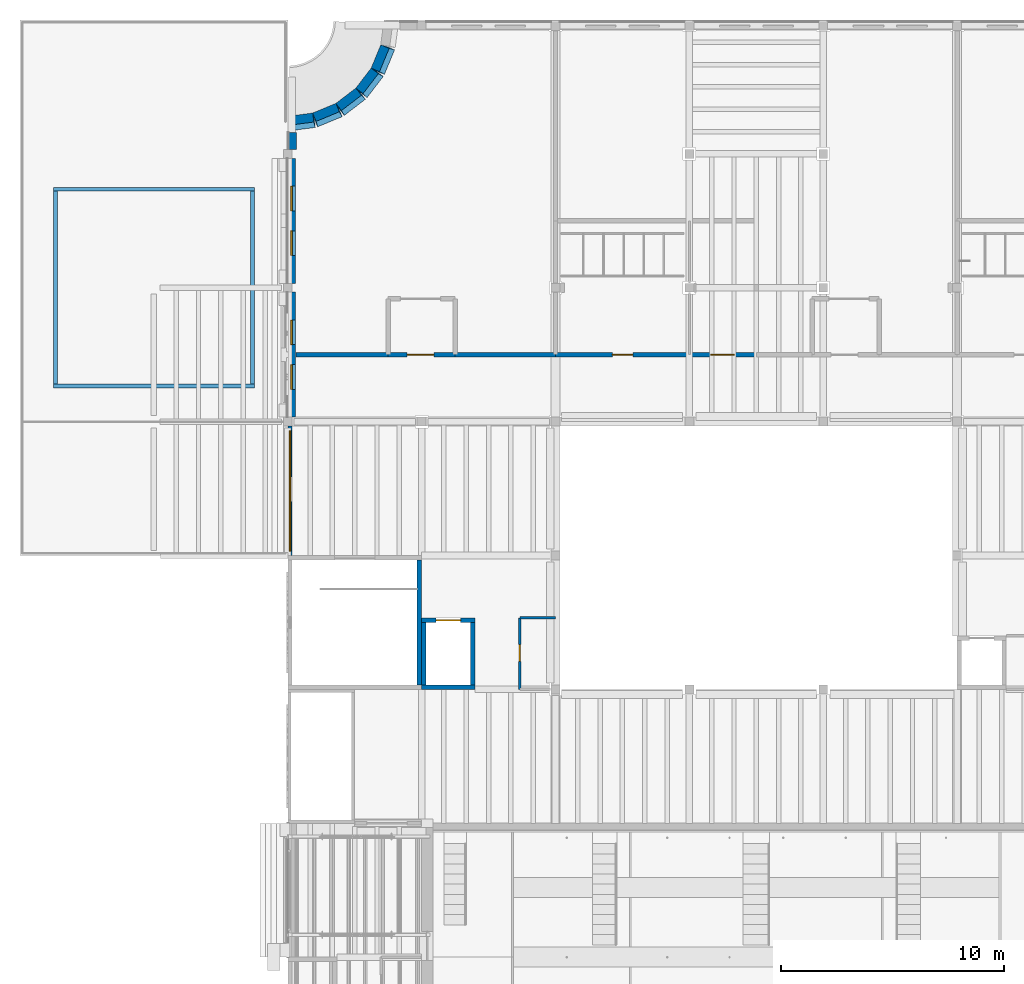
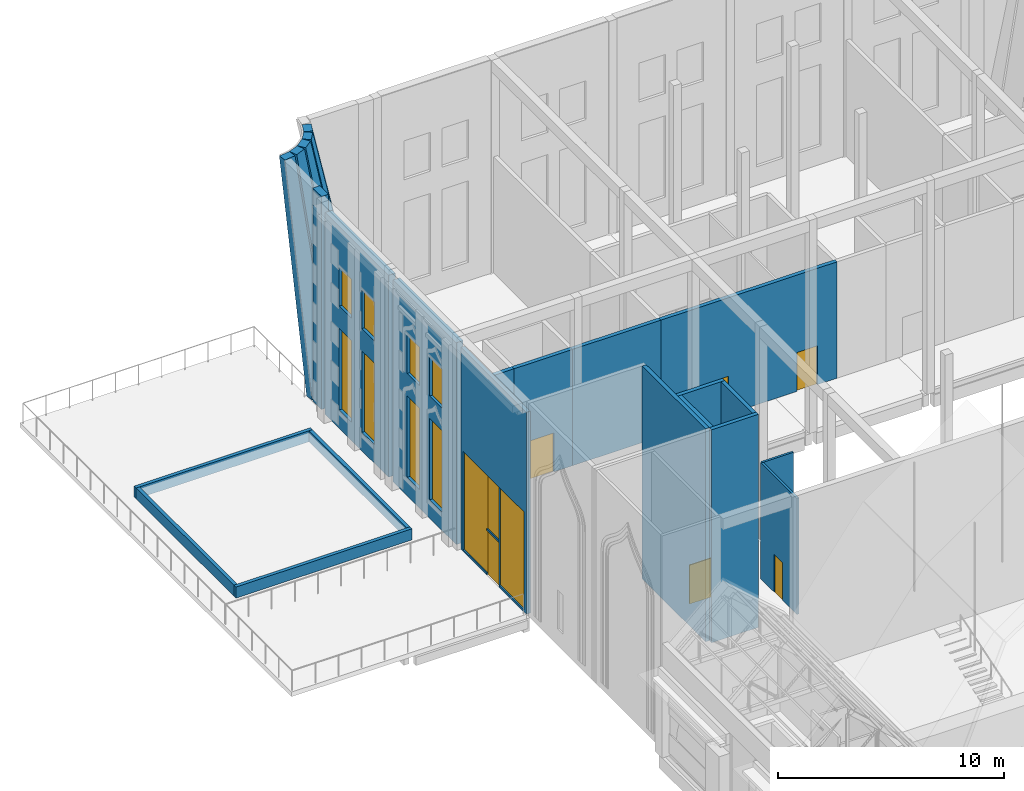
# One storey, part 65 of 118: 24 walls, 11 windows, 6 doors, 17 openings.
"""IFC4 building model written with IfcOpenShell, lengths in metres."""

import ifcopenshell
import ifcopenshell.guid

model = None  # the IFC model being written
_history = None  # IfcOwnerHistory: only IFC2X3 demands one
_inside = {}  # id of a spatial element -> (the spatial element, [elements in it])
_under = {}  # id of a project, library or spatial element -> (it, [spatial elements below it])
_declared = {}  # id of a project -> (the project, [libraries it declares])
_typed = {}  # id of a type object -> (the type object, [elements of that type])
_made_of = {}  # id of a material, layer set ... -> (it, [elements and type objects made of it])


def new_model(schema):
    """Start an empty IFC model of exactly this schema.

    Asked for "IFC4X3", IfcOpenShell would pick the latest addendum, in which some entities
    have other attributes; the version numbers below select the first issue.
    IFC2X3 requires an IfcOwnerHistory on every rooted entity: one is made here for all.
    """
    global model, _history
    if schema == "IFC4X3":
        model = ifcopenshell.file(schema_version=(4, 3, 0, 0))
    else:
        model = ifcopenshell.file(schema=schema)
    _inside.clear()
    _under.clear()
    _declared.clear()
    _typed.clear()
    _made_of.clear()
    _history = None
    if model.schema == "IFC2X3":
        org = make("IfcOrganization", Name="unknown")
        user = make(
            "IfcPersonAndOrganization",
            ThePerson=make("IfcPerson", FamilyName="unknown"),
            TheOrganization=org,
        )
        app = make(
            "IfcApplication",
            ApplicationDeveloper=org,
            Version="unknown",
            ApplicationFullName="unknown",
            ApplicationIdentifier="unknown",
        )
        _history = make(
            "IfcOwnerHistory",
            OwningUser=user,
            OwningApplication=app,
            ChangeAction="ADDED",
            CreationDate=0,
        )
    return model


def make(cls, **values):
    """One entity of the class cls with the attributes given. An attribute that is None is left unset."""
    return model.create_entity(
        cls, **{name: value for name, value in values.items() if value is not None}
    )


def rooted(cls, **values):
    """An entity with a GlobalId (a new one), such as an element, a storey or a relation."""
    return make(cls, GlobalId=ifcopenshell.guid.new(), OwnerHistory=_history, **values)


def si_unit(unit_type, name, prefix=None):
    """IfcSIUnit, for example si_unit("LENGTHUNIT", "METRE", prefix="MILLI")."""
    return make("IfcSIUnit", UnitType=unit_type, Prefix=prefix, Name=name)


def assignment(units):
    """IfcUnitAssignment: the units of a project."""
    return None if units is None else make("IfcUnitAssignment", Units=units)


def point(xyz):
    """IfcCartesianPoint."""
    return None if xyz is None else make("IfcCartesianPoint", Coordinates=xyz)


def direction(xyz):
    """IfcDirection."""
    return None if xyz is None else make("IfcDirection", DirectionRatios=xyz)


def frame(location, z_axis=None, x_axis=None):
    """IfcAxis2Placement3D, a coordinate frame: its origin and axes. An axis left out is left unset."""
    return make(
        "IfcAxis2Placement3D",
        Location=point(location),
        Axis=direction(z_axis),
        RefDirection=direction(x_axis),
    )


def frame_2d(location, x_axis=None):
    """IfcAxis2Placement2D, a coordinate frame in the plane: its origin and x axis."""
    return make(
        "IfcAxis2Placement2D", Location=point(location), RefDirection=direction(x_axis)
    )


def origin():
    """The frame at (0, 0, 0) with its axes left unset."""
    return frame((0.0, 0.0, 0.0))


def place(relative_to, where):
    """IfcLocalPlacement: puts the frame where relative to a parent placement (None: the world)."""
    return make(
        "IfcLocalPlacement", PlacementRelTo=relative_to, RelativePlacement=where
    )


def context(
    kind, dimensions, precision=None, world=None, true_north=None, identifier=None
):
    """IfcGeometricRepresentationContext, for example the 3D "Model" context."""
    return make(
        "IfcGeometricRepresentationContext",
        ContextIdentifier=identifier,
        ContextType=kind,
        CoordinateSpaceDimension=dimensions,
        Precision=precision,
        WorldCoordinateSystem=world,
        TrueNorth=true_north,
    )


def subcontext(parent, identifier, kind, view, scale=None):
    """IfcGeometricRepresentationSubContext, for example "Body" below "Model"."""
    return make(
        "IfcGeometricRepresentationSubContext",
        ContextIdentifier=identifier,
        ContextType=kind,
        ParentContext=parent,
        TargetScale=scale,
        TargetView=view,
    )


def project(units=None, contexts=None):
    """IfcProject with its units and contexts."""
    return rooted(
        "IfcProject",
        Name="project",
        RepresentationContexts=contexts,
        UnitsInContext=assignment(units),
    )


def spatial(cls, under=None, at=None, **own):
    """A site, building, storey or space (cls), placed at a placement, below another one or the project."""
    s = rooted(cls, ObjectPlacement=at, **own)
    if under is not None:
        _under.setdefault(under.id(), (under, []))[1].append(s)
    return s


def polyline(points):
    """IfcPolyline through the points."""
    return make("IfcPolyline", Points=[point(p) for p in points])


def profile(cls, at=None, kind="AREA", **sizes):
    """A parametric profile (cls). Its sizes go by their IFC names, for example OverallWidth=200.0."""
    return make(cls, ProfileType=kind, Position=at, **sizes)


def rectangle(**sizes):
    """IfcRectangleProfileDef."""
    return profile("IfcRectangleProfileDef", **sizes)


def outline(outer, holes=None, kind="AREA"):
    """IfcArbitraryClosedProfileDef: a profile drawn as a closed curve; with holes, ...WithVoids."""
    if holes is None:
        return make("IfcArbitraryClosedProfileDef", ProfileType=kind, OuterCurve=outer)
    return make(
        "IfcArbitraryProfileDefWithVoids",
        ProfileType=kind,
        OuterCurve=outer,
        InnerCurves=holes,
    )


def extrude(swept, where, along, depth):
    """IfcExtrudedAreaSolid: the profile swept, set in the frame where, extruded along a direction by depth."""
    return make(
        "IfcExtrudedAreaSolid",
        SweptArea=swept,
        Position=where,
        ExtrudedDirection=direction(along),
        Depth=depth,
    )


def shape(context_of_items, identifier, shape_type, items):
    """IfcShapeRepresentation: the items that make up one representation, for example the "Body"."""
    return make(
        "IfcShapeRepresentation",
        ContextOfItems=context_of_items,
        RepresentationIdentifier=identifier,
        RepresentationType=shape_type,
        Items=items,
    )


def material(Name=None, Category=None):
    """IfcMaterial."""
    return make("IfcMaterial", Name=Name, Category=Category)


def layer(
    of_material, thickness, ventilated=None, Name=None, Category=None, Priority=None
):
    """IfcMaterialLayer: one layer of a wall or slab, of a material (None: an air gap)."""
    return make(
        "IfcMaterialLayer",
        Material=of_material,
        LayerThickness=thickness,
        IsVentilated=ventilated,
        Name=Name,
        Category=Category,
        Priority=Priority,
    )


def layer_set(layers, Name=None):
    """IfcMaterialLayerSet."""
    return make("IfcMaterialLayerSet", MaterialLayers=layers, LayerSetName=Name)


def made_of(thing, what):
    """Note that an element or type object is made of a material, layer set ...; save() writes the relation."""
    if what is not None:
        _made_of.setdefault(what.id(), (what, []))[1].append(thing)
    return thing


def type_object(cls, material=None, **own):
    """A type object (cls), such as IfcWallType, which elements share."""
    return made_of(rooted(cls, **own), material)


def element(
    cls,
    number,
    at=None,
    inside=None,
    cuts=None,
    type_object=None,
    material=None,
    context=None,
    identifier="Body",
    shape_type=None,
    held_by="IfcProductDefinitionShape",
    body=None,
    shapes=None,
    **own,
):
    """One element of the class cls, such as IfcWall. Its Tag is "e" and its number.

    at: its placement. inside: the storey or other place that contains it. cuts: it is an
    opening in that element (IfcRelVoidsElement). A single representation is given by context,
    identifier, shape_type and body (its items); several are given by shapes. held_by: the class
    of the entity that holds the representations. save() writes the other relations.
    """
    e = rooted(cls, Tag="e%d" % number, ObjectPlacement=at, **own)
    if body is not None:
        shapes = [shape(context, identifier, shape_type, body)]
    if shapes is not None:
        e.Representation = make(held_by, Representations=shapes)
    if inside is not None:
        _inside.setdefault(inside.id(), (inside, []))[1].append(e)
    if cuts is not None:
        rooted(
            "IfcRelVoidsElement", RelatingBuildingElement=cuts, RelatedOpeningElement=e
        )
    if type_object is not None:
        _typed.setdefault(type_object.id(), (type_object, []))[1].append(e)
    return made_of(e, material)


def fill(opening, filler):
    """IfcRelFillsElement: the door or window that sits in an opening."""
    return rooted(
        "IfcRelFillsElement",
        RelatingOpeningElement=opening,
        RelatedBuildingElement=filler,
    )


def aggregate(whole, parts):
    """IfcRelAggregates: a whole, such as a stair, and the parts it consists of."""
    return rooted("IfcRelAggregates", RelatingObject=whole, RelatedObjects=parts)


def save(model, path):
    """Write the relations noted so far, then the file.

    IfcRelAggregates (storeys below a building ...), IfcRelContainedInSpatialStructure (elements
    in a storey), IfcRelDefinesByType, IfcRelAssociatesMaterial and IfcRelDeclares: one each for
    every whole, place, type object, material and project.
    """
    for whole, parts in _under.values():
        aggregate(whole, parts)
    for where, things in _inside.values():
        rooted(
            "IfcRelContainedInSpatialStructure",
            RelatedElements=things,
            RelatingStructure=where,
        )
    for kind, things in _typed.values():
        rooted("IfcRelDefinesByType", RelatedObjects=things, RelatingType=kind)
    for what, things in _made_of.values():
        rooted("IfcRelAssociatesMaterial", RelatedObjects=things, RelatingMaterial=what)
    for by, libraries in _declared.values():
        rooted("IfcRelDeclares", RelatingContext=by, RelatedDefinitions=libraries)
    model.write(path)


model = new_model("IFC4")

# Units and contexts
model_context = context("Model", 3, precision=1e-05, world=origin(), true_north=direction((0.0, 1.0)))
body_context = subcontext(model_context, "Body", "Model", "MODEL_VIEW")
ifc_project = project(units=[si_unit("LENGTHUNIT", "METRE"), si_unit("AREAUNIT", "SQUARE_METRE"), si_unit("VOLUMEUNIT", "CUBIC_METRE"), si_unit("PLANEANGLEUNIT", "RADIAN"), si_unit("MASSUNIT", "GRAM", prefix="KILO")], contexts=[model_context])

# Site, building, storey
site_placement = place(None, origin())
site = spatial("IfcSite", under=ifc_project, at=site_placement, CompositionType="ELEMENT")
building_placement = place(site_placement, origin())
building = spatial("IfcBuilding", under=site, at=building_placement, Name="Saffron Lane Theatres", CompositionType="ELEMENT")
storey_placement = place(building_placement, frame((0.0, 0.0, 16.5)))
storey = spatial("IfcBuildingStorey", under=building, at=storey_placement, Name="L03", CompositionType="ELEMENT", Elevation=16.5)

# Wall, openings, door, windows
ifc_material_1 = material(Name="Aluminium", Category="aluminium")
ifc_layer_1 = layer(ifc_material_1, 0.199951171875)
ifc_layer_set_1 = layer_set([ifc_layer_1], Name="Aluminium")
wall_type_1 = type_object("IfcWallType", Name="EX-SCREEN ALUMINIUM 200", PredefinedType="SOLIDWALL", material=ifc_layer_set_1)
wall_1_placement = place(storey_placement, frame((12.10009765625, 102.0, 0.0), z_axis=(0.0, 0.0, 1.0), x_axis=(0.0, 1.0, 0.0)))
wall_1 = element("IfcWall", 1, at=wall_1_placement, inside=storey, type_object=wall_type_1, Name="External wall L03 29", PredefinedType="SOLIDWALL", context=body_context, shape_type="SweptSolid", body=[
    extrude(rectangle(XDim=5.800048828125, YDim=0.199951171875, at=frame_2d((2.89990234375, 0.0))), origin(), (0.0, 0.0, 1.0), 10.89990234375),
])
opening_1_placement = place(wall_1_placement, frame((2.419921875, 0.0, 0.0)))
opening_1 = element("IfcOpeningElement", 2, at=opening_1_placement, cuts=wall_1, Name="Opening ED03-02", PredefinedType="OPENING", context=body_context, shape_type="SweptSolid", body=[
    extrude(rectangle(XDim=1.10009765625, YDim=2.39990234375, at=frame_2d((0.550048828125, 1.199951171875))), frame((0.0, 0.10986328125, 0.0), z_axis=(0.0, -1.0, 0.0), x_axis=(1.0, 0.0, 0.0)), (0.0, 0.0, 1.0), 0.219970703125),
])
opening_2_placement = place(wall_1_placement, frame((2.419921875, 0.0, 2.5)))
opening_2 = element("IfcOpeningElement", 3, at=opening_2_placement, cuts=wall_1, Name="Opening WN03-045", PredefinedType="OPENING", context=body_context, shape_type="SweptSolid", body=[
    extrude(rectangle(XDim=1.10009765625, YDim=2.89990234375, at=frame_2d((0.550048828125, 1.449951171875))), frame((0.0, 0.10986328125, 0.0), z_axis=(0.0, -1.0, 0.0), x_axis=(1.0, 0.0, 0.0)), (0.0, 0.0, 1.0), 0.219970703125),
])
opening_3_placement = place(wall_1_placement, frame((0.199951171875, 0.0, 0.10009765625)))
opening_3 = element("IfcOpeningElement", 4, at=opening_3_placement, cuts=wall_1, Name="Opening WN03-046", PredefinedType="OPENING", context=body_context, shape_type="SweptSolid", body=[
    extrude(rectangle(XDim=2.219970703125, YDim=5.300048828125, at=frame_2d((1.10986328125, 2.64990234375))), frame((0.0, 0.10986328125, 0.0), z_axis=(0.0, -1.0, 0.0), x_axis=(1.0, 0.0, 0.0)), (0.0, 0.0, 1.0), 0.219970703125),
])
opening_4_placement = place(wall_1_placement, frame((3.52001953125, 0.0, 0.10009765625)))
opening_4 = element("IfcOpeningElement", 5, at=opening_4_placement, cuts=wall_1, Name="Opening WN03-047", PredefinedType="OPENING", context=body_context, shape_type="SweptSolid", body=[
    extrude(rectangle(XDim=2.080078125, YDim=5.300048828125, at=frame_2d((1.0400390625, 2.64990234375))), frame((0.0, 0.10986328125, 0.0), z_axis=(0.0, -1.0, 0.0), x_axis=(1.0, 0.0, 0.0)), (0.0, 0.0, 1.0), 0.219970703125),
])
ifc_material_2 = material(Name="Aluminium and glass door leaf", Category="aluminium")
door_type_1 = type_object("IfcDoorType", Name="EX-DOOR 1100x2400", OperationType="NOTDEFINED", PredefinedType="DOOR", material=ifc_material_2)
door_1_placement = place(opening_1_placement, origin())
door_1 = element("IfcDoor", 6, at=door_1_placement, inside=storey, type_object=door_type_1, Name="Roof Garden Lobby West door", OperationType="SINGLE_SWING_LEFT", OverallHeight=2.39990234375, OverallWidth=1.10009765625, PredefinedType="DOOR", context=body_context, shape_type="SweptSolid", body=[
    extrude(rectangle(XDim=1.10009765625, YDim=2.39990234375, at=frame_2d((0.550048828125, 1.199951171875))), frame((0.0, 0.02490234375, 0.0), z_axis=(0.0, -1.0, 0.0), x_axis=(1.0, 0.0, 0.0)), (0.0, 0.0, 1.0), 0.050048828125),
])
fill(opening_1, door_1)
ifc_material_3 = material(Name="Aluminium", Category="aluminium")
window_type_1 = type_object("IfcWindowType", Name="EX-WINDOW 1100x2900", PartitioningType="SINGLE_PANEL", PredefinedType="WINDOW", material=ifc_material_3)
window_1_placement = place(opening_2_placement, origin())
window_1 = element("IfcWindow", 7, at=window_1_placement, inside=storey, type_object=window_type_1, Name="Window L03 045", OverallHeight=2.89990234375, OverallWidth=1.10009765625, PartitioningType="SINGLE_PANEL", PredefinedType="WINDOW", context=body_context, shape_type="SweptSolid", body=[
    extrude(rectangle(XDim=1.10009765625, YDim=2.89990234375, at=frame_2d((0.550048828125, 1.449951171875))), frame((0.0, 0.030029296875, 0.0), z_axis=(0.0, -1.0, 0.0), x_axis=(1.0, 0.0, 0.0)), (0.0, 0.0, 1.0), 0.06005859375),
])
fill(opening_2, window_1)
ifc_material_4 = material(Name="Aluminium", Category="aluminium")
window_type_2 = type_object("IfcWindowType", Name="EX-WINDOW 2080x5300", PartitioningType="SINGLE_PANEL", PredefinedType="WINDOW", material=ifc_material_4)
window_2_placement = place(opening_4_placement, origin())
window_2 = element("IfcWindow", 8, at=window_2_placement, inside=storey, type_object=window_type_2, Name="Window L03 047", OverallHeight=5.300048828125, OverallWidth=2.080078125, PartitioningType="SINGLE_PANEL", PredefinedType="WINDOW", context=body_context, shape_type="SweptSolid", body=[
    extrude(rectangle(XDim=2.080078125, YDim=5.300048828125, at=frame_2d((1.0400390625, 2.64990234375))), frame((0.0, 0.030029296875, 0.0), z_axis=(0.0, -1.0, 0.0), x_axis=(1.0, 0.0, 0.0)), (0.0, 0.0, 1.0), 0.06005859375),
])
fill(opening_4, window_2)
ifc_material_5 = material(Name="Aluminium", Category="aluminium")
window_type_3 = type_object("IfcWindowType", Name="EX-WINDOW 2220x5300", PartitioningType="SINGLE_PANEL", PredefinedType="WINDOW", material=ifc_material_5)
window_3_placement = place(opening_3_placement, origin())
window_3 = element("IfcWindow", 9, at=window_3_placement, inside=storey, type_object=window_type_3, Name="Window L03 046", OverallHeight=5.300048828125, OverallWidth=2.219970703125, PartitioningType="SINGLE_PANEL", PredefinedType="WINDOW", context=body_context, shape_type="SweptSolid", body=[
    extrude(rectangle(XDim=2.219970703125, YDim=5.300048828125, at=frame_2d((1.10986328125, 2.64990234375))), frame((0.0, 0.030029296875, 0.0), z_axis=(0.0, -1.0, 0.0), x_axis=(1.0, 0.0, 0.0)), (0.0, 0.0, 1.0), 0.06005859375),
])
fill(opening_3, window_3)

# Wall, openings, windows
ifc_material_6 = material(Name="Masonry pale clay brick", Category="masonry")
ifc_layer_2 = layer(ifc_material_6, 0.35009765625)
ifc_layer_set_2 = layer_set([ifc_layer_2], Name="Masonry pale clay brick")
wall_type_2 = type_object("IfcWallType", Name="EX-WALL BRICK 350", PredefinedType="SOLIDWALL", material=ifc_layer_set_2)
wall_2_placement = place(storey_placement, frame((12.175048828125, 108.199951171875, 0.0), z_axis=(0.0, 0.0, 1.0), x_axis=(0.0, 1.0, 0.0)))
wall_2 = element("IfcWall", 10, at=wall_2_placement, inside=storey, type_object=wall_type_2, Name="External wall L03 30", PredefinedType="SOLIDWALL", context=body_context, shape_type="SweptSolid", body=[
    extrude(rectangle(XDim=5.60009765625, YDim=0.35009765625, at=frame_2d((2.800048828125, 0.0))), origin(), (0.0, 0.0, 1.0), 10.89990234375),
])
opening_5_placement = place(wall_2_placement, frame((1.25, 0.0, 1.0)))
opening_5 = element("IfcOpeningElement", 11, at=opening_5_placement, cuts=wall_2, Name="Opening WN03-048", PredefinedType="OPENING", context=body_context, shape_type="SweptSolid", body=[
    extrude(rectangle(XDim=1.10009765625, YDim=4.39990234375, at=frame_2d((0.550048828125, 2.199951171875))), frame((0.0, 0.18505859375, 0.0), z_axis=(0.0, -1.0, 0.0), x_axis=(1.0, 0.0, 0.0)), (0.0, 0.0, 1.0), 0.3701171875),
])
opening_6_placement = place(wall_2_placement, frame((3.25, 0.0, 1.0)))
opening_6 = element("IfcOpeningElement", 12, at=opening_6_placement, cuts=wall_2, Name="Opening WN03-049", PredefinedType="OPENING", context=body_context, shape_type="SweptSolid", body=[
    extrude(rectangle(XDim=1.10009765625, YDim=4.39990234375, at=frame_2d((0.550048828125, 2.199951171875))), frame((0.0, 0.18505859375, 0.0), z_axis=(0.0, -1.0, 0.0), x_axis=(1.0, 0.0, 0.0)), (0.0, 0.0, 1.0), 0.3701171875),
])
opening_7_placement = place(wall_2_placement, frame((1.25, 0.0, 6.60009765625)))
opening_7 = element("IfcOpeningElement", 13, at=opening_7_placement, cuts=wall_2, Name="Opening WN03-050", PredefinedType="OPENING", context=body_context, shape_type="SweptSolid", body=[
    extrude(rectangle(XDim=1.10009765625, YDim=2.10009765625, at=frame_2d((0.550048828125, 1.050048828125))), frame((0.0, 0.18505859375, 0.0), z_axis=(0.0, -1.0, 0.0), x_axis=(1.0, 0.0, 0.0)), (0.0, 0.0, 1.0), 0.3701171875),
])
opening_8_placement = place(wall_2_placement, frame((3.25, 0.0, 6.60009765625)))
opening_8 = element("IfcOpeningElement", 14, at=opening_8_placement, cuts=wall_2, Name="Opening WN03-051", PredefinedType="OPENING", context=body_context, shape_type="SweptSolid", body=[
    extrude(rectangle(XDim=1.10009765625, YDim=2.10009765625, at=frame_2d((0.550048828125, 1.050048828125))), frame((0.0, 0.18505859375, 0.0), z_axis=(0.0, -1.0, 0.0), x_axis=(1.0, 0.0, 0.0)), (0.0, 0.0, 1.0), 0.3701171875),
])
ifc_material_7 = material(Name="Aluminium", Category="aluminium")
window_type_4 = type_object("IfcWindowType", Name="EX-WINDOW 1100x2100", PartitioningType="SINGLE_PANEL", PredefinedType="WINDOW", material=ifc_material_7)
window_4_placement = place(opening_7_placement, origin())
window_4 = element("IfcWindow", 15, at=window_4_placement, inside=storey, type_object=window_type_4, Name="Window L03 050", OverallHeight=2.10009765625, OverallWidth=1.10009765625, PartitioningType="SINGLE_PANEL", PredefinedType="WINDOW", context=body_context, shape_type="SweptSolid", body=[
    extrude(rectangle(XDim=1.10009765625, YDim=2.10009765625, at=frame_2d((0.550048828125, 1.050048828125))), frame((0.0, 0.030029296875, 0.0), z_axis=(0.0, -1.0, 0.0), x_axis=(1.0, 0.0, 0.0)), (0.0, 0.0, 1.0), 0.06005859375),
])
fill(opening_7, window_4)
window_5_placement = place(opening_8_placement, origin())
window_5 = element("IfcWindow", 16, at=window_5_placement, inside=storey, type_object=window_type_4, Name="Window L03 051", OverallHeight=2.10009765625, OverallWidth=1.10009765625, PartitioningType="SINGLE_PANEL", PredefinedType="WINDOW", context=body_context, shape_type="SweptSolid", body=[
    extrude(rectangle(XDim=1.10009765625, YDim=2.10009765625, at=frame_2d((0.550048828125, 1.050048828125))), frame((0.0, 0.030029296875, 0.0), z_axis=(0.0, -1.0, 0.0), x_axis=(1.0, 0.0, 0.0)), (0.0, 0.0, 1.0), 0.06005859375),
])
fill(opening_8, window_5)
ifc_material_8 = material(Name="Aluminium", Category="aluminium")
window_type_5 = type_object("IfcWindowType", Name="EX-WINDOW 1100x4400", PartitioningType="SINGLE_PANEL", PredefinedType="WINDOW", material=ifc_material_8)
window_6_placement = place(opening_5_placement, origin())
window_6 = element("IfcWindow", 17, at=window_6_placement, inside=storey, type_object=window_type_5, Name="Window L03 048", OverallHeight=4.39990234375, OverallWidth=1.10009765625, PartitioningType="SINGLE_PANEL", PredefinedType="WINDOW", context=body_context, shape_type="SweptSolid", body=[
    extrude(rectangle(XDim=1.10009765625, YDim=4.39990234375, at=frame_2d((0.550048828125, 2.199951171875))), frame((0.0, 0.030029296875, 0.0), z_axis=(0.0, -1.0, 0.0), x_axis=(1.0, 0.0, 0.0)), (0.0, 0.0, 1.0), 0.06005859375),
])
fill(opening_5, window_6)
window_7_placement = place(opening_6_placement, origin())
window_7 = element("IfcWindow", 18, at=window_7_placement, inside=storey, type_object=window_type_5, Name="Window L03 049", OverallHeight=4.39990234375, OverallWidth=1.10009765625, PartitioningType="SINGLE_PANEL", PredefinedType="WINDOW", context=body_context, shape_type="SweptSolid", body=[
    extrude(rectangle(XDim=1.10009765625, YDim=4.39990234375, at=frame_2d((0.550048828125, 2.199951171875))), frame((0.0, 0.030029296875, 0.0), z_axis=(0.0, -1.0, 0.0), x_axis=(1.0, 0.0, 0.0)), (0.0, 0.0, 1.0), 0.06005859375),
])
fill(opening_6, window_7)

wall_3_placement = place(storey_placement, frame((12.175048828125, 114.199951171875, 0.0), z_axis=(0.0, 0.0, 1.0), x_axis=(0.0, 1.0, 0.0)))
wall_3 = element("IfcWall", 19, at=wall_3_placement, inside=storey, type_object=wall_type_2, Name="External wall L03 31", PredefinedType="SOLIDWALL", context=body_context, shape_type="SweptSolid", body=[
    extrude(rectangle(XDim=5.60009765625, YDim=0.35009765625, at=frame_2d((2.800048828125, 0.0))), origin(), (0.0, 0.0, 1.0), 10.89990234375),
])
opening_9_placement = place(wall_3_placement, frame((1.25, 0.0, 1.0)))
opening_9 = element("IfcOpeningElement", 20, at=opening_9_placement, cuts=wall_3, Name="Opening WN03-052", PredefinedType="OPENING", context=body_context, shape_type="SweptSolid", body=[
    extrude(rectangle(XDim=1.10009765625, YDim=4.39990234375, at=frame_2d((0.550048828125, 2.199951171875))), frame((0.0, 0.18505859375, 0.0), z_axis=(0.0, -1.0, 0.0), x_axis=(1.0, 0.0, 0.0)), (0.0, 0.0, 1.0), 0.3701171875),
])
opening_10_placement = place(wall_3_placement, frame((3.25, 0.0, 1.0)))
opening_10 = element("IfcOpeningElement", 21, at=opening_10_placement, cuts=wall_3, Name="Opening WN03-053", PredefinedType="OPENING", context=body_context, shape_type="SweptSolid", body=[
    extrude(rectangle(XDim=1.10009765625, YDim=4.39990234375, at=frame_2d((0.550048828125, 2.199951171875))), frame((0.0, 0.18505859375, 0.0), z_axis=(0.0, -1.0, 0.0), x_axis=(1.0, 0.0, 0.0)), (0.0, 0.0, 1.0), 0.3701171875),
])
opening_11_placement = place(wall_3_placement, frame((1.25, 0.0, 6.60009765625)))
opening_11 = element("IfcOpeningElement", 22, at=opening_11_placement, cuts=wall_3, Name="Opening WN03-054", PredefinedType="OPENING", context=body_context, shape_type="SweptSolid", body=[
    extrude(rectangle(XDim=1.10009765625, YDim=2.10009765625, at=frame_2d((0.550048828125, 1.050048828125))), frame((0.0, 0.18505859375, 0.0), z_axis=(0.0, -1.0, 0.0), x_axis=(1.0, 0.0, 0.0)), (0.0, 0.0, 1.0), 0.3701171875),
])
opening_12_placement = place(wall_3_placement, frame((3.25, 0.0, 6.60009765625)))
opening_12 = element("IfcOpeningElement", 23, at=opening_12_placement, cuts=wall_3, Name="Opening WN03-055", PredefinedType="OPENING", context=body_context, shape_type="SweptSolid", body=[
    extrude(rectangle(XDim=1.10009765625, YDim=2.10009765625, at=frame_2d((0.550048828125, 1.050048828125))), frame((0.0, 0.18505859375, 0.0), z_axis=(0.0, -1.0, 0.0), x_axis=(1.0, 0.0, 0.0)), (0.0, 0.0, 1.0), 0.3701171875),
])
window_8_placement = place(opening_11_placement, origin())
window_8 = element("IfcWindow", 24, at=window_8_placement, inside=storey, type_object=window_type_4, Name="Window L03 054", OverallHeight=2.10009765625, OverallWidth=1.10009765625, PartitioningType="SINGLE_PANEL", PredefinedType="WINDOW", context=body_context, shape_type="SweptSolid", body=[
    extrude(rectangle(XDim=1.10009765625, YDim=2.10009765625, at=frame_2d((0.550048828125, 1.050048828125))), frame((0.0, 0.030029296875, 0.0), z_axis=(0.0, -1.0, 0.0), x_axis=(1.0, 0.0, 0.0)), (0.0, 0.0, 1.0), 0.06005859375),
])
fill(opening_11, window_8)
window_9_placement = place(opening_12_placement, origin())
window_9 = element("IfcWindow", 25, at=window_9_placement, inside=storey, type_object=window_type_4, Name="Window L03 055", OverallHeight=2.10009765625, OverallWidth=1.10009765625, PartitioningType="SINGLE_PANEL", PredefinedType="WINDOW", context=body_context, shape_type="SweptSolid", body=[
    extrude(rectangle(XDim=1.10009765625, YDim=2.10009765625, at=frame_2d((0.550048828125, 1.050048828125))), frame((0.0, 0.030029296875, 0.0), z_axis=(0.0, -1.0, 0.0), x_axis=(1.0, 0.0, 0.0)), (0.0, 0.0, 1.0), 0.06005859375),
])
fill(opening_12, window_9)
window_10_placement = place(opening_9_placement, origin())
window_10 = element("IfcWindow", 26, at=window_10_placement, inside=storey, type_object=window_type_5, Name="Window L03 052", OverallHeight=4.39990234375, OverallWidth=1.10009765625, PartitioningType="SINGLE_PANEL", PredefinedType="WINDOW", context=body_context, shape_type="SweptSolid", body=[
    extrude(rectangle(XDim=1.10009765625, YDim=4.39990234375, at=frame_2d((0.550048828125, 2.199951171875))), frame((0.0, 0.030029296875, 0.0), z_axis=(0.0, -1.0, 0.0), x_axis=(1.0, 0.0, 0.0)), (0.0, 0.0, 1.0), 0.06005859375),
])
fill(opening_9, window_10)
window_11_placement = place(opening_10_placement, origin())
window_11 = element("IfcWindow", 27, at=window_11_placement, inside=storey, type_object=window_type_5, Name="Window L03 053", OverallHeight=4.39990234375, OverallWidth=1.10009765625, PartitioningType="SINGLE_PANEL", PredefinedType="WINDOW", context=body_context, shape_type="SweptSolid", body=[
    extrude(rectangle(XDim=1.10009765625, YDim=4.39990234375, at=frame_2d((0.550048828125, 2.199951171875))), frame((0.0, 0.030029296875, 0.0), z_axis=(0.0, -1.0, 0.0), x_axis=(1.0, 0.0, 0.0)), (0.0, 0.0, 1.0), 0.06005859375),
])
fill(opening_10, window_11)

# Walls
wall_4_placement = place(storey_placement, frame((12.22509765625, 120.199951171875, 0.0), z_axis=(0.0, 0.0, 1.0), x_axis=(0.0, 1.0, 0.0)))
element("IfcWall", 28, at=wall_4_placement, inside=storey, type_object=wall_type_2, Name="External wall L03 32", PredefinedType="SOLIDWALL", context=body_context, shape_type="SweptSolid", body=[
    extrude(rectangle(XDim=0.763427734375, YDim=0.35009765625, at=frame_2d((0.3818359375, 0.0))), origin(), (0.0, 0.0, 1.0), 11.5),
])
ifc_material_9 = material(Name="Acoustic double stud partition")
ifc_layer_3 = layer(ifc_material_9, 0.199951171875)
ifc_layer_set_3 = layer_set([ifc_layer_3], Name="Acoustic double stud partition")
wall_type_3 = type_object("IfcWallType", Name="IN-ACOUSTIC PARTITION 200", PredefinedType="PARTITIONING", material=ifc_layer_set_3)
wall_5_placement = place(storey_placement, frame((12.3701171875, 111.0, 0.0), z_axis=(0.0, 0.0, 1.0), x_axis=(1.0, 0.0, 0.0)))
element("IfcWall", 29, at=wall_5_placement, inside=storey, type_object=wall_type_3, Name="PW-L03-001", PredefinedType="PARTITIONING", context=body_context, shape_type="SweptSolid", body=[
    extrude(rectangle(XDim=4.1298828125, YDim=0.199951171875, at=frame_2d((2.06494140625, 0.0))), origin(), (0.0, 0.0, 1.0), 6.280029296875),
])

# Wall, opening, door
wall_6_placement = place(storey_placement, frame((16.5, 111.0, 0.0), z_axis=(0.0, 0.0, 1.0), x_axis=(1.0, 0.0, 0.0)))
wall_6 = element("IfcWall", 30, at=wall_6_placement, inside=storey, type_object=wall_type_3, Name="PW-L03-002", PredefinedType="PARTITIONING", context=body_context, shape_type="SweptSolid", body=[
    extrude(rectangle(XDim=3.0, YDim=0.199951171875, at=frame_2d((1.5, 0.0))), origin(), (0.0, 0.0, 1.0), 6.280029296875),
])
opening_13_placement = place(wall_6_placement, frame((0.85009765625, 0.0, 0.0)))
opening_13 = element("IfcOpeningElement", 31, at=opening_13_placement, cuts=wall_6, Name="Opening D03-01", PredefinedType="OPENING", context=body_context, shape_type="SweptSolid", body=[
    extrude(rectangle(XDim=1.199951171875, YDim=2.10009765625, at=frame_2d((0.60009765625, 1.050048828125))), frame((0.0, 0.10986328125, 0.0), z_axis=(0.0, -1.0, 0.0), x_axis=(1.0, 0.0, 0.0)), (0.0, 0.0, 1.0), 0.219970703125),
])
ifc_material_10 = material(Name="Steel faced fire door leaf", Category="steel")
door_type_2 = type_object("IfcDoorType", Name="IN-DOOR 1200x2100 FD60", OperationType="DOUBLE_DOOR_SINGLE_SWING", PredefinedType="DOOR", material=ifc_material_10)
door_2_placement = place(opening_13_placement, origin())
door_2 = element("IfcDoor", 32, at=door_2_placement, inside=storey, type_object=door_type_2, Name="D03-01", OperationType="DOUBLE_DOOR_SINGLE_SWING", OverallHeight=2.10009765625, OverallWidth=1.199951171875, PredefinedType="DOOR", context=body_context, shape_type="SweptSolid", body=[
    extrude(rectangle(XDim=1.199951171875, YDim=2.10009765625, at=frame_2d((0.60009765625, 1.050048828125))), frame((0.0, 0.02490234375, 0.0), z_axis=(0.0, -1.0, 0.0), x_axis=(1.0, 0.0, 0.0)), (0.0, 0.0, 1.0), 0.050048828125),
])
fill(opening_13, door_2)

# Wall
wall_7_placement = place(storey_placement, frame((19.5, 111.0, 0.0), z_axis=(0.0, 0.0, 1.0), x_axis=(1.0, 0.0, 0.0)))
element("IfcWall", 33, at=wall_7_placement, inside=storey, type_object=wall_type_3, Name="PW-L03-006", PredefinedType="PARTITIONING", context=body_context, shape_type="SweptSolid", body=[
    extrude(rectangle(XDim=4.5, YDim=0.199951171875, at=frame_2d((2.25, 0.0))), origin(), (0.0, 0.0, 1.0), 6.280029296875),
])

# Wall, openings, doors
wall_8_placement = place(storey_placement, frame((24.0, 111.0, 0.0), z_axis=(0.0, 0.0, 1.0), x_axis=(1.0, 0.0, 0.0)))
wall_8 = element("IfcWall", 34, at=wall_8_placement, inside=storey, type_object=wall_type_3, Name="PW-L03-007", PredefinedType="PARTITIONING", context=body_context, shape_type="SweptSolid", body=[
    extrude(rectangle(XDim=9.0, YDim=0.199951171875, at=frame_2d((4.5, 0.0))), origin(), (0.0, 0.0, 1.0), 6.280029296875),
])
opening_14_placement = place(wall_8_placement, frame((2.550048828125, 0.0, 0.0)))
opening_14 = element("IfcOpeningElement", 35, at=opening_14_placement, cuts=wall_8, Name="Opening D03-03", PredefinedType="OPENING", context=body_context, shape_type="SweptSolid", body=[
    extrude(rectangle(XDim=0.919921875, YDim=2.0400390625, at=frame_2d((0.4599609375, 1.02001953125))), frame((0.0, 0.10986328125, 0.0), z_axis=(0.0, -1.0, 0.0), x_axis=(1.0, 0.0, 0.0)), (0.0, 0.0, 1.0), 0.219970703125),
])
opening_15_placement = place(wall_8_placement, frame((6.949951171875, 0.0, 0.0)))
opening_15 = element("IfcOpeningElement", 36, at=opening_15_placement, cuts=wall_8, Name="Opening D03-04", PredefinedType="OPENING", context=body_context, shape_type="SweptSolid", body=[
    extrude(rectangle(XDim=1.050048828125, YDim=2.10009765625, at=frame_2d((0.52490234375, 1.050048828125))), frame((0.0, 0.10986328125, 0.0), z_axis=(0.0, -1.0, 0.0), x_axis=(1.0, 0.0, 0.0)), (0.0, 0.0, 1.0), 0.219970703125),
])
ifc_material_11 = material(Name="Steel faced fire door leaf", Category="steel")
door_type_3 = type_object("IfcDoorType", Name="IN-DOOR 1050x2100 FD60", OperationType="NOTDEFINED", PredefinedType="DOOR", material=ifc_material_11)
door_3_placement = place(opening_15_placement, origin())
door_3 = element("IfcDoor", 37, at=door_3_placement, inside=storey, type_object=door_type_3, Name="D03-04", OperationType="SINGLE_SWING_LEFT", OverallHeight=2.10009765625, OverallWidth=1.050048828125, PredefinedType="DOOR", context=body_context, shape_type="SweptSolid", body=[
    extrude(rectangle(XDim=1.050048828125, YDim=2.10009765625, at=frame_2d((0.52490234375, 1.050048828125))), frame((0.0, 0.02490234375, 0.0), z_axis=(0.0, -1.0, 0.0), x_axis=(1.0, 0.0, 0.0)), (0.0, 0.0, 1.0), 0.050048828125),
])
fill(opening_15, door_3)
ifc_material_12 = material(Name="Steel faced fire door leaf", Category="steel")
door_type_4 = type_object("IfcDoorType", Name="IN-DOOR 920x2040 FD60", OperationType="NOTDEFINED", PredefinedType="DOOR", material=ifc_material_12)
door_4_placement = place(opening_14_placement, origin())
door_4 = element("IfcDoor", 38, at=door_4_placement, inside=storey, type_object=door_type_4, Name="D03-03", OperationType="SINGLE_SWING_LEFT", OverallHeight=2.0400390625, OverallWidth=0.919921875, PredefinedType="DOOR", context=body_context, shape_type="SweptSolid", body=[
    extrude(rectangle(XDim=0.919921875, YDim=2.0400390625, at=frame_2d((0.4599609375, 1.02001953125))), frame((0.0, 0.02490234375, 0.0), z_axis=(0.0, -1.0, 0.0), x_axis=(1.0, 0.0, 0.0)), (0.0, 0.0, 1.0), 0.050048828125),
])
fill(opening_14, door_4)

# Wall
ifc_material_13 = material(Name="Masonry block partition", Category="masonry")
ifc_layer_4 = layer(ifc_material_13, 0.110107421875)
ifc_layer_set_4 = layer_set([ifc_layer_4], Name="Masonry block partition")
wall_type_4 = type_object("IfcWallType", Name="IN-BLOCK PARTITION 110", PredefinedType="PARTITIONING", material=ifc_layer_set_4)
wall_9_placement = place(storey_placement, frame((22.39990234375, 99.199951171875, 0.0), z_axis=(0.0, 0.0, 1.0), x_axis=(1.0, 0.0, 0.0)))
element("IfcWall", 39, at=wall_9_placement, inside=storey, type_object=wall_type_4, Name="PW-L03-041", PredefinedType="PARTITIONING", context=body_context, shape_type="SweptSolid", body=[
    extrude(rectangle(XDim=1.60009765625, YDim=0.110107421875, at=frame_2d((0.800048828125, 0.0))), origin(), (0.0, 0.0, 1.0), 6.280029296875),
])

# Wall, opening, door
wall_10_placement = place(storey_placement, frame((22.39990234375, 96.0, 0.0), z_axis=(0.0, 0.0, 1.0), x_axis=(0.0, 1.0, 0.0)))
wall_10 = element("IfcWall", 40, at=wall_10_placement, inside=storey, type_object=wall_type_4, Name="PW-L03-042", PredefinedType="PARTITIONING", context=body_context, shape_type="SweptSolid", body=[
    extrude(rectangle(XDim=3.199951171875, YDim=0.110107421875, at=frame_2d((1.60009765625, 0.0))), origin(), (0.0, 0.0, 1.0), 6.280029296875),
])
opening_16_placement = place(wall_10_placement, frame((1.25, 0.0, 0.0)))
opening_16 = element("IfcOpeningElement", 41, at=opening_16_placement, cuts=wall_10, Name="Opening D03-22", PredefinedType="OPENING", context=body_context, shape_type="SweptSolid", body=[
    extrude(rectangle(XDim=0.75, YDim=2.0400390625, at=frame_2d((0.375, 1.02001953125))), frame((0.0, 0.06494140625, 0.0), z_axis=(0.0, -1.0, 0.0), x_axis=(1.0, 0.0, 0.0)), (0.0, 0.0, 1.0), 0.130126953125),
])
ifc_material_14 = material(Name="Steel faced fire door leaf", Category="steel")
door_type_5 = type_object("IfcDoorType", Name="IN-DOOR 750x2040 FD60", OperationType="NOTDEFINED", PredefinedType="DOOR", material=ifc_material_14)
door_5_placement = place(opening_16_placement, frame((0.75, 0.0, 0.0), z_axis=(0.0, 0.0, 1.0), x_axis=(-1.0, 0.0, 0.0)))
door_5 = element("IfcDoor", 42, at=door_5_placement, inside=storey, type_object=door_type_5, Name="D03-22", OperationType="SINGLE_SWING_RIGHT", OverallHeight=2.0400390625, OverallWidth=0.75, PredefinedType="DOOR", context=body_context, shape_type="SweptSolid", body=[
    extrude(rectangle(XDim=0.75, YDim=2.0400390625, at=frame_2d((0.375, 1.02001953125))), frame((0.0, 0.02490234375, 0.0), z_axis=(0.0, -1.0, 0.0), x_axis=(1.0, 0.0, 0.0)), (0.0, 0.0, 1.0), 0.050048828125),
])
fill(opening_16, door_5)

# Wall
ifc_material_15 = material(Name="Concrete N50 (50 MPa)", Category="concrete")
ifc_layer_5 = layer(ifc_material_15, 0.199951171875)
ifc_layer_set_5 = layer_set([ifc_layer_5], Name="Concrete N50 (50 MPa)")
wall_type_5 = type_object("IfcWallType", Name="RC-CORE 200", PredefinedType="SHEAR", material=ifc_layer_set_5)
wall_11_placement = place(storey_placement, frame((17.89990234375, 96.199951171875, 0.0), z_axis=(0.0, 0.0, 1.0), x_axis=(0.0, 1.0, 0.0)))
element("IfcWall", 43, at=wall_11_placement, inside=storey, type_object=wall_type_5, Name="W-ST1-E-L03", PredefinedType="SHEAR", context=body_context, shape_type="SweptSolid", body=[
    extrude(rectangle(XDim=5.60009765625, YDim=0.199951171875, at=frame_2d((2.800048828125, 0.0))), origin(), (0.0, 0.0, 1.0), 11.5),
])

# Wall, opening, door
wall_12_placement = place(storey_placement, frame((18.0, 99.10009765625, 0.0), z_axis=(0.0, 0.0, 1.0), x_axis=(1.0, 0.0, 0.0)))
wall_12 = element("IfcWall", 44, at=wall_12_placement, inside=storey, type_object=wall_type_5, Name="W-LC1-N-L03", PredefinedType="SHEAR", context=body_context, shape_type="SweptSolid", body=[
    extrude(rectangle(XDim=2.39990234375, YDim=0.199951171875, at=frame_2d((1.199951171875, 0.0))), origin(), (0.0, 0.0, 1.0), 11.5),
])
opening_17_placement = place(wall_12_placement, frame((0.64990234375, 0.0, 0.0)))
opening_17 = element("IfcOpeningElement", 45, at=opening_17_placement, cuts=wall_12, Name="Opening LD4", PredefinedType="OPENING", context=body_context, shape_type="SweptSolid", body=[
    extrude(rectangle(XDim=1.10009765625, YDim=2.10009765625, at=frame_2d((0.550048828125, 1.050048828125))), frame((0.0, 0.10986328125, 0.0), z_axis=(0.0, -1.0, 0.0), x_axis=(1.0, 0.0, 0.0)), (0.0, 0.0, 1.0), 0.219970703125),
])
ifc_material_16 = material(Name="Stainless steel 316", Category="steel")
door_type_6 = type_object("IfcDoorType", Name="VC-LANDING DOOR 1100x2100", OperationType="DOUBLE_DOOR_SLIDING", PredefinedType="DOOR", material=ifc_material_16)
door_6_placement = place(opening_17_placement, origin())
door_6 = element("IfcDoor", 46, at=door_6_placement, inside=storey, type_object=door_type_6, Name="Landing doors LC1 L03", OperationType="DOUBLE_DOOR_SLIDING", OverallHeight=2.10009765625, OverallWidth=1.10009765625, PredefinedType="DOOR", context=body_context, shape_type="SweptSolid", body=[
    extrude(rectangle(XDim=1.10009765625, YDim=2.10009765625, at=frame_2d((0.550048828125, 1.050048828125))), frame((0.0, 0.02490234375, 0.0), z_axis=(0.0, -1.0, 0.0), x_axis=(1.0, 0.0, 0.0)), (0.0, 0.0, 1.0), 0.050048828125),
])
fill(opening_17, door_6)

# Walls
wall_13_placement = place(storey_placement, frame((18.0, 96.10009765625, 0.0), z_axis=(0.0, 0.0, 1.0), x_axis=(1.0, 0.0, 0.0)))
element("IfcWall", 47, at=wall_13_placement, inside=storey, type_object=wall_type_5, Name="W-LC1-S-L03", PredefinedType="SHEAR", context=body_context, shape_type="SweptSolid", body=[
    extrude(rectangle(XDim=2.39990234375, YDim=0.199951171875, at=frame_2d((1.199951171875, 0.0))), origin(), (0.0, 0.0, 1.0), 11.5),
])
for number, where, z_axis, x_axis, name in (
    (48, (18.10009765625, 96.199951171875, 0.0), (0.0, 0.0, 1.0), (0.0, 1.0, 0.0), "W-LC1-W-L03"),
    (49, (20.300048828125, 96.199951171875, 0.0), (0.0, 0.0, 1.0), (0.0, 1.0, 0.0), "W-LC1-E-L03"),
):
    element("IfcWall", number, at=place(storey_placement, frame(where, z_axis=z_axis, x_axis=x_axis)), inside=storey, type_object=wall_type_5, Name=name, PredefinedType="SHEAR", context=body_context, shape_type="SweptSolid", body=[
        extrude(rectangle(XDim=2.800048828125, YDim=0.199951171875, at=frame_2d((1.39990234375, 0.0))), origin(), (0.0, 0.0, 1.0), 11.5),
    ])
ifc_material_17 = material(Name="Concrete N50 (50 MPa)", Category="concrete")
ifc_layer_6 = layer(ifc_material_17, 0.175048828125)
ifc_layer_set_6 = layer_set([ifc_layer_6], Name="Concrete N50 (50 MPa)")
wall_type_6 = type_object("IfcWallType", Name="RC-KERB 175", PredefinedType="SOLIDWALL", material=ifc_layer_set_6)
for number, where, z_axis, x_axis, name in (
    (50, (1.5, 118.41259765625, 0.0), (0.0, 0.0, 1.0), (1.0, 0.0, 0.0), "W-KERB-W-N-L03"),
    (51, (1.5, 109.58740234375, 0.0), (0.0, 0.0, 1.0), (1.0, 0.0, 0.0), "W-KERB-W-S-L03"),
):
    element("IfcWall", number, at=place(storey_placement, frame(where, z_axis=z_axis, x_axis=x_axis)), inside=storey, type_object=wall_type_6, Name=name, PredefinedType="SOLIDWALL", context=body_context, shape_type="SweptSolid", body=[
        extrude(rectangle(XDim=9.0, YDim=0.175048828125, at=frame_2d((4.5, 0.0))), origin(), (0.0, 0.0, 1.0), 0.60009765625),
    ])
for number, where, z_axis, x_axis, name in (
    (52, (1.58740234375, 109.675048828125, 0.0), (0.0, 0.0, 1.0), (0.0, 1.0, 0.0), "W-KERB-W-W-L03"),
    (53, (10.41259765625, 109.675048828125, 0.0), (0.0, 0.0, 1.0), (0.0, 1.0, 0.0), "W-KERB-W-E-L03"),
):
    element("IfcWall", number, at=place(storey_placement, frame(where, z_axis=z_axis, x_axis=x_axis)), inside=storey, type_object=wall_type_6, Name=name, PredefinedType="SOLIDWALL", context=body_context, shape_type="SweptSolid", body=[
        extrude(rectangle(XDim=8.64990234375, YDim=0.175048828125, at=frame_2d((4.324951171875, 0.0))), origin(), (0.0, 0.0, 1.0), 0.60009765625),
    ])
ifc_material_18 = material(Name="Masonry pale clay brick", Category="masonry")
ifc_layer_7 = layer(ifc_material_18, 0.11, Name="facing")
ifc_material_19 = material(Name="Concrete N50 (50 MPa)", Category="concrete")
ifc_layer_8 = layer(ifc_material_19, 0.29, Name="structure")
ifc_layer_set_7 = layer_set([ifc_layer_7, ifc_layer_8], Name="Concrete N50 (50 MPa)")
wall_type_7 = type_object("IfcWallType", Name="RC-SCOOP 400", PredefinedType="SOLIDWALL", material=ifc_layer_set_7)
wall_14_placement = place(storey_placement, frame((16.410888671875, 124.817626953125, 0.0), z_axis=(0.904489867265, -0.374713337598, 0.203686019748), x_axis=(-0.382738214206, -0.923856839203, 6.661643e-06)))
element("IfcWall", 54, at=wall_14_placement, inside=storey, type_object=wall_type_7, Name="W-SCOOP-NW-L03-1-F3", PredefinedType="SOLIDWALL", context=body_context, shape_type="SweptSolid", body=[
    extrude(outline(polyline([(0.0, 0.0), (1.1921034970691948, 0.0), (0.8773701973413004, -11.746239218719175), (0.3153008946801397, -11.746251154613784), (0.0, 0.0)])), origin(), (-5.9874528e-05, 0.203686018997, 0.979036261882), 0.408447265625),
])
wall_15_placement = place(storey_placement, frame((15.95458984375, 123.71630859375, 0.0), z_axis=(0.776823680551, -0.595869137879, 0.203678520857), x_axis=(-0.608629514106, -0.793454544619, 1.3471187e-05)))
element("IfcWall", 55, at=wall_15_placement, inside=storey, type_object=wall_type_7, Name="W-SCOOP-NW-L03-1-F5", PredefinedType="SOLIDWALL", context=body_context, shape_type="SweptSolid", body=[
    extrude(outline(polyline([(0.0, 0.0), (1.1920629447704265, -2.7755575615628914e-17), (0.8768511304458095, -11.746214406676541), (0.3147585029353948, -11.746238543187681), (0.0, 0.0)])), origin(), (0.00016613122, 0.203678520256, 0.979037809682), 0.408447265625),
])
wall_16_placement = place(storey_placement, frame((15.22900390625, 122.7705078125, 0.0), z_axis=(0.595869137879, -0.776823680551, 0.203678520857), x_axis=(-0.793454544619, -0.608629514106, -1.3471187e-05)))
element("IfcWall", 56, at=wall_16_placement, inside=storey, type_object=wall_type_7, Name="W-SCOOP-NW-L03-1-F7", PredefinedType="SOLIDWALL", context=body_context, shape_type="SweptSolid", body=[
    extrude(outline(polyline([(0.0, 0.0), (1.1920629447704265, 2.7755575615628914e-17), (0.8773044418350319, -11.746238543187681), (0.31521181432461715, -11.746214406676541), (0.0, 0.0)])), origin(), (-0.00016613122, 0.203678520256, 0.979037809682), 0.408447265625),
])
wall_17_placement = place(storey_placement, frame((14.283203125, 122.044921875, 0.0), z_axis=(0.374713337598, -0.904489867265, 0.203686019748), x_axis=(-0.923856839203, -0.382738214206, -6.661643e-06)))
element("IfcWall", 57, at=wall_17_placement, inside=storey, type_object=wall_type_7, Name="W-SCOOP-NW-L03-1-F9", PredefinedType="SOLIDWALL", context=body_context, shape_type="SweptSolid", body=[
    extrude(outline(polyline([(0.0, 0.0), (1.1921034970691948, 0.0), (0.876802602389055, -11.746251154613784), (0.3147332997278946, -11.746239218719175), (0.0, 0.0)])), origin(), (5.9874528e-05, 0.203686018997, 0.979036261882), 0.408447265625),
])
wall_18_placement = place(storey_placement, frame((13.181884765625, 121.588623046875, 0.0), z_axis=(0.127804312758, -0.970658767683, 0.203685086252), x_axis=(-0.991443366163, -0.130537547954, 1.6312522e-05)))
element("IfcWall", 58, at=wall_18_placement, inside=storey, type_object=wall_type_7, Name="W-SCOOP-NW-L03-1-F11", PredefinedType="SOLIDWALL", context=body_context, shape_type="SweptSolid", body=[
    extrude(outline(polyline([(0.0, 0.0), (1.1920726937598658, 0.0), (0.8772619664799506, -11.746228243084472), (0.3150654315962502, -11.746257472389681), (0.0, 0.0)])), origin(), (1.1662418e-05, 0.203685086452, 0.979036457657), 0.408447265625),
])

save(model, "model.ifc")
